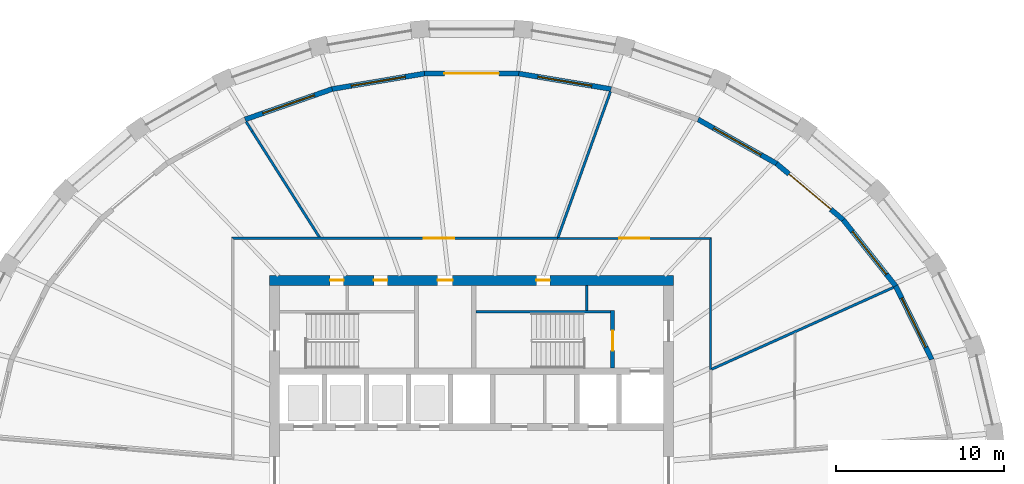
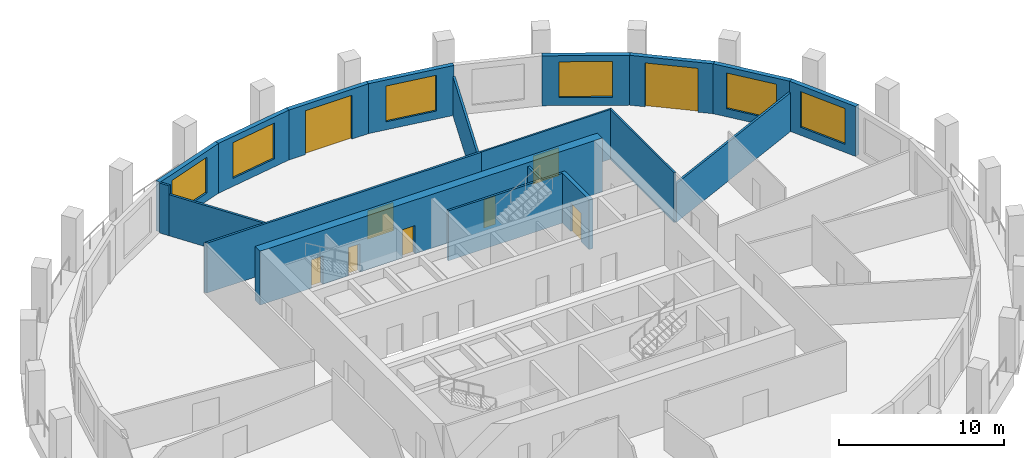
# One storey, part 6 of 10: 19 walls, 9 doors, 6 windows, 15 openings.
"""IFC4 building model written with IfcOpenShell, lengths in metres."""

from ifc_helpers import new_model, si_unit, direction, frame, frame_2d, origin, place, context, subcontext, project, spatial, polyline, rectangle, outline, extrude, material, layer, layer_set, type_object, element, fill, save


model = new_model("IFC4")

# Units and contexts
model_context = context("Model", 3, precision=1e-05, world=origin(), true_north=direction((0.0, 1.0)))
body_context = subcontext(model_context, "Body", "Model", "MODEL_VIEW")
ifc_project = project(units=[si_unit("LENGTHUNIT", "METRE"), si_unit("AREAUNIT", "SQUARE_METRE"), si_unit("VOLUMEUNIT", "CUBIC_METRE"), si_unit("PLANEANGLEUNIT", "RADIAN"), si_unit("MASSUNIT", "GRAM", prefix="KILO")], contexts=[model_context])

# Site, building, storey
site_placement = place(None, origin())
site = spatial("IfcSite", under=ifc_project, at=site_placement, CompositionType="ELEMENT")
building_placement = place(site_placement, origin())
building = spatial("IfcBuilding", under=site, at=building_placement, Name="Halqa Exchange Tower", CompositionType="ELEMENT")
storey_placement = place(building_placement, frame((0.0, 0.0, 238.89990234375)))
storey = spatial("IfcBuildingStorey", under=building, at=storey_placement, Name="L55", CompositionType="ELEMENT", Elevation=238.89990234375)

# Wall, opening, door
ifc_material_1 = material(Name="Fire-rated gypsum board")
ifc_layer_1 = layer(ifc_material_1, 0.14990234375)
ifc_layer_set_1 = layer_set([ifc_layer_1], Name="Fire-rated gypsum board")
wall_type_1 = type_object("IfcWallType", Name="Fire partition EI 60 150", PredefinedType="PARTITIONING", material=ifc_layer_set_1)
wall_1_placement = place(storey_placement, frame((-14.27490234375, 14.199951171875, 0.0), z_axis=(0.0, 0.0, 1.0), x_axis=(1.0, 0.0, 0.0)))
wall_1 = element("IfcWall", 1, at=wall_1_placement, inside=storey, type_object=wall_type_1, Name="L55-PWL-005", PredefinedType="PARTITIONING", context=body_context, shape_type="SweptSolid", body=[
    extrude(outline(polyline([(19.385009765625, 0.074951171875), (17.446533203125, 0.074951171875), (15.508056640625, 0.074951171875), (13.569580078125, 0.074951171875), (11.631103515625, 0.074951171875), (9.6923828125, 0.074951171875), (7.75390625, 0.074951171875), (5.8154296875, 0.074951171875), (3.876953125, 0.074951171875), (1.9384765625, 0.074951171875), (0.0, 0.074951171875), (0.14990234375, -0.074951171875), (2.073486328125, -0.074951171875), (3.996826171875, -0.074951171875), (5.92041015625, -0.074951171875), (7.843994140625, -0.074951171875), (9.767578125, -0.074951171875), (11.69091796875, -0.074951171875), (13.614501953125, -0.074951171875), (15.5380859375, -0.074951171875), (17.46142578125, -0.074951171875), (19.385009765625, -0.074951171875), (19.385009765625, 0.074951171875)])), origin(), (0.0, 0.0, 1.0), 3.7001953125),
])
opening_1_placement = place(wall_1_placement, frame((11.429931640625, 0.0, 0.0)))
opening_1 = element("IfcOpeningElement", 2, at=opening_1_placement, cuts=wall_1, Name="Opening 17-06", PredefinedType="OPENING", context=body_context, shape_type="SweptSolid", body=[
    extrude(rectangle(XDim=1.800048828125, YDim=2.10009765625, at=frame_2d((0.89990234375, 1.050048828125))), frame((0.0, 0.0869140625, 0.0), z_axis=(0.0, -1.0, 0.0), x_axis=(1.0, 0.0, 0.0)), (0.0, 0.0, 1.0), 0.173828125),
])
ifc_material_2 = material(Name="Steel fire door leaf", Category="steel")
door_type_1 = type_object("IfcDoorType", Name="Fire door FD30S double 1800 x 2100", OperationType="DOUBLE_DOOR_SINGLE_SWING", PredefinedType="DOOR", material=ifc_material_2)
door_1_placement = place(opening_1_placement, origin())
door_1 = element("IfcDoor", 3, at=door_1_placement, inside=storey, type_object=door_type_1, Name="L55-IDR-006", OperationType="DOUBLE_DOOR_SINGLE_SWING", OverallHeight=2.10009765625, OverallWidth=1.800048828125, PredefinedType="DOOR", context=body_context, shape_type="SweptSolid", body=[
    extrude(rectangle(XDim=1.800048828125, YDim=2.10009765625, at=frame_2d((0.89990234375, 1.050048828125))), frame((0.0, 0.02490234375, 0.0), z_axis=(0.0, -1.0, 0.0), x_axis=(1.0, 0.0, 0.0)), (0.0, 0.0, 1.0), 0.050048828125),
])
fill(opening_1, door_1)

# Walls
wall_2_placement = place(storey_placement, frame((-9.022216796875, 14.235107421875, 0.0), z_axis=(0.0, 0.0, 1.0), x_axis=(-0.536113951256, 0.844145622075, 0.0)))
element("IfcWall", 4, at=wall_2_placement, inside=storey, type_object=wall_type_1, Name="L55-PWL-006", PredefinedType="PARTITIONING", context=body_context, shape_type="SweptSolid", body=[
    extrude(outline(polyline([(7.49072265625, 0.074951171875), (5.641845703125, 0.074951171875), (3.792724609375, 0.074951171875), (1.94384765625, 0.074951171875), (0.094970703125, 0.074951171875), (0.0, -0.074462890625), (0.0, -0.074951171875), (1.87255859375, -0.074951171875), (3.745361328125, -0.074951171875), (5.6181640625, -0.074951171875), (7.49072265625, -0.074951171875), (7.49072265625, 0.074951171875)])), origin(), (0.0, 0.0, 1.0), 3.050048828125),
])
wall_3_placement = place(storey_placement, frame((5.1279296875, 14.25, 0.0), z_axis=(0.0, 0.0, 1.0), x_axis=(0.33871853012, 0.940887749603, 0.0)))
element("IfcWall", 5, at=wall_3_placement, inside=storey, type_object=wall_type_1, Name="L55-PWL-010", PredefinedType="PARTITIONING", context=body_context, shape_type="SweptSolid", body=[
    extrude(outline(polyline([(9.215087890625, -0.074951171875), (9.215087890625, -0.060546875), (9.214599609375, 0.001953125), (9.201171875, 0.074951171875), (7.361083984375, 0.074951171875), (5.520751953125, 0.074951171875), (3.680419921875, 0.074951171875), (1.84033203125, 0.074951171875), (0.0, 0.074951171875), (0.0, 0.07373046875), (0.017333984375, 0.025390625), (0.00341796875, 0.020263671875), (0.03759765625, -0.074951171875), (1.873046875, -0.074951171875), (3.70849609375, -0.074951171875), (5.544189453125, -0.074951171875), (7.379638671875, -0.074951171875), (9.215087890625, -0.074951171875)])), origin(), (0.0, 0.0, 1.0), 2.897216796875),
])
wall_4_placement = place(storey_placement, frame((14.24462890625, 6.420166015625, 0.0), z_axis=(0.0, 0.0, 1.0), x_axis=(0.911924971597, 0.410356974082, 0.0)))
element("IfcWall", 6, at=wall_4_placement, inside=storey, type_object=wall_type_1, Name="L55-PWL-018", PredefinedType="PARTITIONING", context=body_context, shape_type="SweptSolid", body=[
    extrude(outline(polyline([(0.0, -0.074951171875), (1.78173828125, -0.074951171875), (3.563720703125, -0.074951171875), (5.345458984375, -0.074951171875), (5.34619140625, -0.072998046875), (5.3505859375, -0.074951171875), (6.97802734375, -0.074951171875), (8.60546875, -0.074951171875), (10.23291015625, -0.074951171875), (11.8603515625, -0.074951171875), (11.8603515625, -0.074462890625), (11.857666015625, 0.005126953125), (11.840087890625, 0.074951171875), (9.875, 0.074951171875), (7.91015625, 0.074951171875), (5.9453125, 0.074951171875), (3.98046875, 0.074951171875), (2.015380859375, 0.074951171875), (0.050537109375, 0.074951171875), (0.005859375, -0.024658203125), (0.01953125, -0.03076171875), (0.0, -0.073974609375), (0.0, -0.074951171875)])), origin(), (0.0, 0.0, 1.0), 2.880126953125),
])
wall_5_placement = place(storey_placement, frame((-13.0380859375, 20.558349609375, 0.0), z_axis=(0.0, 0.0, 1.0), x_axis=(-0.536263285698, 0.844050761751, 0.0)))
element("IfcWall", 7, at=wall_5_placement, inside=storey, type_object=wall_type_1, Name="L55-PWL-022", PredefinedType="PARTITIONING", context=body_context, shape_type="SweptSolid", body=[
    extrude(outline(polyline([(0.0, -0.074951171875), (0.650634765625, -0.074951171875), (0.667236328125, -0.00390625), (0.671142578125, 0.069091796875), (0.671142578125, 0.074951171875), (0.0, 0.074951171875), (0.0, -0.074951171875)])), origin(), (0.0, 0.0, 1.0), 3.7001953125),
])

# Wall, opening, door
ifc_material_3 = material(Name="Fire-rated glazing", Category="glass")
ifc_layer_2 = layer(ifc_material_3, 0.1201171875)
ifc_layer_set_2 = layer_set([ifc_layer_2], Name="Fire-rated glazing")
wall_type_2 = type_object("IfcWallType", Name="Glazed fire partition EI 60 120", PredefinedType="PARTITIONING", material=ifc_layer_set_2)
wall_6_placement = place(storey_placement, frame((5.110107421875, 14.199951171875, 0.0), z_axis=(0.0, 0.0, 1.0), x_axis=(1.0, 0.0, 0.0)))
wall_6 = element("IfcWall", 8, at=wall_6_placement, inside=storey, type_object=wall_type_2, Name="L55-PWL-011", PredefinedType="PARTITIONING", context=body_context, shape_type="SweptSolid", body=[
    extrude(outline(polyline([(0.0, -0.06005859375), (1.805908203125, -0.06005859375), (3.61181640625, -0.06005859375), (5.41796875, -0.06005859375), (7.223876953125, -0.06005859375), (9.02978515625, -0.06005859375), (9.14990234375, 0.06005859375), (7.31982421875, 0.06005859375), (5.489990234375, 0.06005859375), (3.659912109375, 0.06005859375), (1.830078125, 0.06005859375), (0.0, 0.06005859375), (0.0, -0.06005859375)])), origin(), (0.0, 0.0, 1.0), 3.7001953125),
])
opening_2_placement = place(wall_6_placement, frame((3.64501953125, 0.0, 0.0)))
opening_2 = element("IfcOpeningElement", 9, at=opening_2_placement, cuts=wall_6, Name="Opening 17-05", PredefinedType="OPENING", context=body_context, shape_type="SweptSolid", body=[
    extrude(rectangle(XDim=1.800048828125, YDim=2.10009765625, at=frame_2d((0.89990234375, 1.050048828125))), frame((0.0, 0.072021484375, 0.0), z_axis=(0.0, -1.0, 0.0), x_axis=(1.0, 0.0, 0.0)), (0.0, 0.0, 1.0), 0.14404296875),
])
door_2_placement = place(opening_2_placement, origin())
door_2 = element("IfcDoor", 10, at=door_2_placement, inside=storey, type_object=door_type_1, Name="L55-IDR-005", OperationType="DOUBLE_DOOR_SINGLE_SWING", OverallHeight=2.10009765625, OverallWidth=1.800048828125, PredefinedType="DOOR", context=body_context, shape_type="SweptSolid", body=[
    extrude(rectangle(XDim=1.800048828125, YDim=2.10009765625, at=frame_2d((0.89990234375, 1.050048828125))), frame((0.0, 0.02490234375, 0.0), z_axis=(0.0, -1.0, 0.0), x_axis=(1.0, 0.0, 0.0)), (0.0, 0.0, 1.0), 0.050048828125),
])
fill(opening_2, door_2)

# Walls
wall_7_placement = place(storey_placement, frame((14.199951171875, 14.260009765625, 0.0), z_axis=(0.0, 0.0, 1.0), x_axis=(0.0, -1.0, 0.0)))
element("IfcWall", 11, at=wall_7_placement, inside=storey, type_object=wall_type_2, Name="L55-PWL-019", PredefinedType="PARTITIONING", context=body_context, shape_type="SweptSolid", body=[
    extrude(outline(polyline([(7.860107421875, 0.06005859375), (5.89501953125, 0.06005859375), (3.93017578125, 0.06005859375), (1.965087890625, 0.06005859375), (0.0, 0.06005859375), (0.1201171875, -0.06005859375), (2.05517578125, -0.06005859375), (3.990234375, -0.06005859375), (5.925048828125, -0.06005859375), (7.860107421875, -0.06005859375), (7.860107421875, 0.06005859375)])), origin(), (0.0, 0.0, 1.0), 3.7001953125),
])
ifc_material_4 = material(Name="Gypsum board")
ifc_layer_3 = layer(ifc_material_4, 0.14990234375)
ifc_layer_set_3 = layer_set([ifc_layer_3], Name="Gypsum board")
wall_type_3 = type_object("IfcWallType", Name="Penthouse riser wall 150 gypsum", PredefinedType="PARTITIONING", material=ifc_layer_set_3)
wall_8_placement = place(storey_placement, frame((6.824951171875, 9.89990234375, 0.0), z_axis=(0.0, 0.0, 1.0), x_axis=(0.0, 1.0, 0.0)))
element("IfcWall", 12, at=wall_8_placement, inside=storey, type_object=wall_type_3, Name="Firefighting lobby west wall N", PredefinedType="PARTITIONING", context=body_context, shape_type="SweptSolid", body=[
    extrude(rectangle(XDim=1.5, YDim=0.14990234375, at=frame_2d((0.75, 0.0))), origin(), (0.0, 0.0, 1.0), 3.7001953125),
])

# Wall, openings, doors
ifc_material_5 = material(Name="Concrete C70/85", Category="concrete")
ifc_layer_4 = layer(ifc_material_5, 0.60009765625)
ifc_layer_set_4 = layer_set([ifc_layer_4], Name="Concrete C70/85")
wall_type_4 = type_object("IfcWallType", Name="RC core wall 600 C70/85", PredefinedType="SHEAR", material=ifc_layer_set_4)
wall_9_placement = place(storey_placement, frame((-12.0, 11.699951171875, 0.0), z_axis=(0.0, 0.0, 1.0), x_axis=(1.0, 0.0, 0.0)))
wall_9 = element("IfcWall", 13, at=wall_9_placement, inside=storey, type_object=wall_type_4, Name="Core wall north", PredefinedType="SHEAR", context=body_context, shape_type="SweptSolid", body=[
    extrude(rectangle(XDim=24.0, YDim=0.60009765625, at=frame_2d((12.0, 0.0))), origin(), (0.0, 0.0, 1.0), 4.0),
])
opening_3_placement = place(wall_9_placement, frame((9.97509765625, 0.0, 0.0)))
opening_3 = element("IfcOpeningElement", 14, at=opening_3_placement, cuts=wall_9, Name="Opening T17-C21", PredefinedType="OPENING", context=body_context, shape_type="SweptSolid", body=[
    extrude(rectangle(XDim=0.89990234375, YDim=2.10009765625, at=frame_2d((0.449951171875, 1.050048828125))), frame((0.0, 0.31201171875, 0.0), z_axis=(0.0, -1.0, 0.0), x_axis=(1.0, 0.0, 0.0)), (0.0, 0.0, 1.0), 0.6240234375),
])
opening_4_placement = place(wall_9_placement, frame((3.60009765625, 0.0, 0.0)))
opening_4 = element("IfcOpeningElement", 15, at=opening_4_placement, cuts=wall_9, Name="Opening T17-C22", PredefinedType="OPENING", context=body_context, shape_type="SweptSolid", body=[
    extrude(rectangle(XDim=0.800048828125, YDim=2.10009765625, at=frame_2d((0.39990234375, 1.050048828125))), frame((0.0, 0.31201171875, 0.0), z_axis=(0.0, -1.0, 0.0), x_axis=(1.0, 0.0, 0.0)), (0.0, 0.0, 1.0), 0.6240234375),
])
opening_5_placement = place(wall_9_placement, frame((6.199951171875, 0.0, 0.0)))
opening_5 = element("IfcOpeningElement", 16, at=opening_5_placement, cuts=wall_9, Name="Opening T17-C23", PredefinedType="OPENING", context=body_context, shape_type="SweptSolid", body=[
    extrude(rectangle(XDim=0.800048828125, YDim=2.10009765625, at=frame_2d((0.39990234375, 1.050048828125))), frame((0.0, 0.31201171875, 0.0), z_axis=(0.0, -1.0, 0.0), x_axis=(1.0, 0.0, 0.0)), (0.0, 0.0, 1.0), 0.6240234375),
])
opening_6_placement = place(wall_9_placement, frame((15.85009765625, 0.0, 0.0)))
opening_6 = element("IfcOpeningElement", 17, at=opening_6_placement, cuts=wall_9, Name="Opening T17-C24", PredefinedType="OPENING", context=body_context, shape_type="SweptSolid", body=[
    extrude(rectangle(XDim=0.800048828125, YDim=2.10009765625, at=frame_2d((0.39990234375, 1.050048828125))), frame((0.0, 0.31201171875, 0.0), z_axis=(0.0, -1.0, 0.0), x_axis=(1.0, 0.0, 0.0)), (0.0, 0.0, 1.0), 0.6240234375),
])
ifc_material_6 = material(Name="Timber fire door leaf", Category="wood")
door_type_2 = type_object("IfcDoorType", Name="Core room door FD30 900 x 2100", OperationType="SINGLE_SWING_LEFT", PredefinedType="DOOR", material=ifc_material_6)
door_3_placement = place(opening_3_placement, frame((0.89990234375, 0.0, 0.0), z_axis=(0.0, 0.0, 1.0), x_axis=(-1.0, 0.0, 0.0)))
door_3 = element("IfcDoor", 18, at=door_3_placement, inside=storey, type_object=door_type_2, Name="Core room door", OperationType="SINGLE_SWING_RIGHT", OverallHeight=2.10009765625, OverallWidth=0.89990234375, PredefinedType="DOOR", context=body_context, shape_type="SweptSolid", body=[
    extrude(rectangle(XDim=0.89990234375, YDim=2.10009765625, at=frame_2d((0.449951171875, 1.050048828125))), frame((0.0, 0.02490234375, 0.0), z_axis=(0.0, -1.0, 0.0), x_axis=(1.0, 0.0, 0.0)), (0.0, 0.0, 1.0), 0.050048828125),
])
fill(opening_3, door_3)
door_type_3 = type_object("IfcDoorType", Name="Riser door FD60 800 x 2100", OperationType="SINGLE_SWING_LEFT", PredefinedType="DOOR", material=ifc_material_2)
door_4_placement = place(opening_4_placement, frame((0.800048828125, 0.0, 0.0), z_axis=(0.0, 0.0, 1.0), x_axis=(-1.0, 0.0, 0.0)))
door_4 = element("IfcDoor", 19, at=door_4_placement, inside=storey, type_object=door_type_3, Name="Core room door", OperationType="SINGLE_SWING_RIGHT", OverallHeight=2.10009765625, OverallWidth=0.800048828125, PredefinedType="DOOR", context=body_context, shape_type="SweptSolid", body=[
    extrude(rectangle(XDim=0.800048828125, YDim=2.10009765625, at=frame_2d((0.39990234375, 1.050048828125))), frame((0.0, 0.02490234375, 0.0), z_axis=(0.0, -1.0, 0.0), x_axis=(1.0, 0.0, 0.0)), (0.0, 0.0, 1.0), 0.050048828125),
])
fill(opening_4, door_4)
door_5_placement = place(opening_5_placement, frame((0.800048828125, 0.0, 0.0), z_axis=(0.0, 0.0, 1.0), x_axis=(-1.0, 0.0, 0.0)))
door_5 = element("IfcDoor", 20, at=door_5_placement, inside=storey, type_object=door_type_3, Name="Core room door", OperationType="SINGLE_SWING_RIGHT", OverallHeight=2.10009765625, OverallWidth=0.800048828125, PredefinedType="DOOR", context=body_context, shape_type="SweptSolid", body=[
    extrude(rectangle(XDim=0.800048828125, YDim=2.10009765625, at=frame_2d((0.39990234375, 1.050048828125))), frame((0.0, 0.02490234375, 0.0), z_axis=(0.0, -1.0, 0.0), x_axis=(1.0, 0.0, 0.0)), (0.0, 0.0, 1.0), 0.050048828125),
])
fill(opening_5, door_5)
door_6_placement = place(opening_6_placement, frame((0.800048828125, 0.0, 0.0), z_axis=(0.0, 0.0, 1.0), x_axis=(-1.0, 0.0, 0.0)))
door_6 = element("IfcDoor", 21, at=door_6_placement, inside=storey, type_object=door_type_3, Name="Core room door", OperationType="SINGLE_SWING_RIGHT", OverallHeight=2.10009765625, OverallWidth=0.800048828125, PredefinedType="DOOR", context=body_context, shape_type="SweptSolid", body=[
    extrude(rectangle(XDim=0.800048828125, YDim=2.10009765625, at=frame_2d((0.39990234375, 1.050048828125))), frame((0.0, 0.02490234375, 0.0), z_axis=(0.0, -1.0, 0.0), x_axis=(1.0, 0.0, 0.0)), (0.0, 0.0, 1.0), 0.050048828125),
])
fill(opening_6, door_6)

# Wall
ifc_material_7 = material(Name="Concrete C30/37", Category="concrete")
ifc_layer_5 = layer(ifc_material_7, 0.14990234375)
ifc_layer_set_5 = layer_set([ifc_layer_5], Name="Concrete C30/37")
wall_type_5 = type_object("IfcWallType", Name="RC stair wall 150 C30/37", PredefinedType="SHEAR", material=ifc_layer_set_5)
wall_10_placement = place(storey_placement, frame((0.25, 9.824951171875, 0.0), z_axis=(0.0, 0.0, 1.0), x_axis=(1.0, 0.0, 0.0)))
element("IfcWall", 22, at=wall_10_placement, inside=storey, type_object=wall_type_5, Name="Stair ST2 north wall N", PredefinedType="SHEAR", context=body_context, shape_type="SweptSolid", body=[
    extrude(rectangle(XDim=8.0, YDim=0.14990234375, at=frame_2d((4.0, 0.0))), origin(), (0.0, 0.0, 1.0), 3.7001953125),
])

# Wall, opening, door
ifc_layer_6 = layer(ifc_material_7, 0.25)
ifc_layer_set_6 = layer_set([ifc_layer_6], Name="Concrete C30/37")
wall_type_6 = type_object("IfcWallType", Name="RC stair wall 250 C30/37", PredefinedType="SHEAR", material=ifc_layer_set_6)
wall_11_placement = place(storey_placement, frame((8.375, 6.5, 0.0), z_axis=(0.0, 0.0, 1.0), x_axis=(0.0, 1.0, 0.0)))
wall_11 = element("IfcWall", 23, at=wall_11_placement, inside=storey, type_object=wall_type_6, Name="Stair ST2 east wall N", PredefinedType="SHEAR", context=body_context, shape_type="SweptSolid", body=[
    extrude(rectangle(XDim=3.39990234375, YDim=0.25, at=frame_2d((1.699951171875, 0.0))), origin(), (0.0, 0.0, 1.0), 3.7001953125),
])
opening_7_placement = place(wall_11_placement, frame((1.02490234375, 0.0, 0.0)))
opening_7 = element("IfcOpeningElement", 24, at=opening_7_placement, cuts=wall_11, Name="Opening T17-C16", PredefinedType="OPENING", context=body_context, shape_type="SweptSolid", body=[
    extrude(rectangle(XDim=1.199951171875, YDim=2.10009765625, at=frame_2d((0.60009765625, 1.050048828125))), frame((0.0, 0.136962890625, 0.0), z_axis=(0.0, -1.0, 0.0), x_axis=(1.0, 0.0, 0.0)), (0.0, 0.0, 1.0), 0.27392578125),
])
door_type_4 = type_object("IfcDoorType", Name="Stair door FD90 1200 x 2100", OperationType="SINGLE_SWING_LEFT", PredefinedType="DOOR", material=ifc_material_2)
door_7_placement = place(opening_7_placement, origin())
door_7 = element("IfcDoor", 25, at=door_7_placement, inside=storey, type_object=door_type_4, Name="Stair door ST2", OperationType="SINGLE_SWING_LEFT", OverallHeight=2.10009765625, OverallWidth=1.199951171875, PredefinedType="DOOR", context=body_context, shape_type="SweptSolid", body=[
    extrude(rectangle(XDim=1.199951171875, YDim=2.10009765625, at=frame_2d((0.60009765625, 1.050048828125))), frame((0.0, 0.02490234375, 0.0), z_axis=(0.0, -1.0, 0.0), x_axis=(1.0, 0.0, 0.0)), (0.0, 0.0, 1.0), 0.050048828125),
])
fill(opening_7, door_7)

# Wall, opening, window
ifc_material_8 = material(Name="Limestone cladding", Category="masonry")
ifc_layer_7 = layer(ifc_material_8, 0.0400390625)
ifc_material_9 = material(Name="Ventilated cavity")
ifc_layer_8 = layer(ifc_material_9, 0.030029296875, ventilated=True)
ifc_material_10 = material(Name="Mineral wool insulation")
ifc_layer_9 = layer(ifc_material_10, 0.10009765625)
ifc_layer_10 = layer(ifc_material_7, 0.10009765625)
ifc_material_11 = material(Name="Internal plaster")
ifc_layer_11 = layer(ifc_material_11, 0.030029296875)
ifc_layer_set_7 = layer_set([ifc_layer_7, ifc_layer_8, ifc_layer_9, ifc_layer_10, ifc_layer_11], Name="Stone-faced insulated wall 300")
wall_type_7 = type_object("IfcWallType", Name="Stone-faced insulated wall 300", PredefinedType="STANDARD", material=ifc_layer_set_7)
wall_12_placement = place(storey_placement, frame((27.329345703125, 7.00390625, 0.0), z_axis=(0.0, 0.0, 1.0), x_axis=(-0.441001730708, 0.897506252632, 0.0)))
wall_12 = element("IfcWall", 26, at=wall_12_placement, inside=storey, type_object=wall_type_7, Name="Glass-line wall 2", PredefinedType="STANDARD", context=body_context, shape_type="SweptSolid", body=[
    extrude(outline(polyline([(-0.016845703125, -0.14990234375), (4.88232421875, -0.14990234375), (4.85009765625, 0.14990234375), (0.016845703125, 0.14990234375), (-0.016845703125, -0.14990234375)])), origin(), (0.0, 0.0, 1.0), 3.7001953125),
])
opening_8_placement = place(wall_12_placement, frame((0.80810546875, 0.0, 0.60009765625)))
opening_8 = element("IfcOpeningElement", 27, at=opening_8_placement, cuts=wall_12, Name="Opening W-F3-02", PredefinedType="OPENING", context=body_context, shape_type="SweptSolid", body=[
    extrude(rectangle(XDim=3.25, YDim=2.64990234375, at=frame_2d((1.625, 1.324951171875))), frame((0.0, 0.162109375, 0.0), z_axis=(0.0, -1.0, 0.0), x_axis=(1.0, 0.0, 0.0)), (0.0, 0.0, 1.0), 0.323974609375),
])
ifc_material_12 = material(Name="Clear low-emissivity glass in aluminium frame", Category="aluminium")
window_type = type_object("IfcWindowType", Name="Fixed clear glazed window 3250 x 2650", PartitioningType="TRIPLE_PANEL_VERTICAL", PredefinedType="WINDOW", material=ifc_material_12)
window_1_placement = place(opening_8_placement, origin())
window_1 = element("IfcWindow", 28, at=window_1_placement, inside=storey, type_object=window_type, Name="Window 3", OverallHeight=2.64990234375, OverallWidth=3.25, PartitioningType="TRIPLE_PANEL_VERTICAL", PredefinedType="WINDOW", context=body_context, shape_type="SweptSolid", body=[
    extrude(rectangle(XDim=3.25, YDim=2.64990234375, at=frame_2d((1.625, 1.324951171875))), frame((0.0, 0.030029296875, 0.0), z_axis=(0.0, -1.0, 0.0), x_axis=(1.0, 0.0, 0.0)), (0.0, 0.0, 1.0), 0.06005859375),
])
fill(opening_8, window_1)

wall_13_placement = place(storey_placement, frame((25.183349609375, 11.371337890625, 0.0), z_axis=(0.0, 0.0, 1.0), x_axis=(-0.621130746167, 0.783706958094, 0.0)))
wall_13 = element("IfcWall", 29, at=wall_13_placement, inside=storey, type_object=wall_type_7, Name="Glass-line wall 3", PredefinedType="STANDARD", context=body_context, shape_type="SweptSolid", body=[
    extrude(outline(polyline([(-0.01611328125, -0.14990234375), (5.02783203125, -0.14990234375), (4.99755859375, 0.14990234375), (0.01611328125, 0.14990234375), (-0.01611328125, -0.14990234375)])), origin(), (0.0, 0.0, 1.0), 3.7001953125),
])
opening_9_placement = place(wall_13_placement, frame((0.88134765625, 0.0, 0.60009765625)))
opening_9 = element("IfcOpeningElement", 30, at=opening_9_placement, cuts=wall_13, Name="Opening W-F3-03", PredefinedType="OPENING", context=body_context, shape_type="SweptSolid", body=[
    extrude(rectangle(XDim=3.25, YDim=2.64990234375, at=frame_2d((1.625, 1.324951171875))), frame((0.0, 0.162109375, 0.0), z_axis=(0.0, -1.0, 0.0), x_axis=(1.0, 0.0, 0.0)), (0.0, 0.0, 1.0), 0.323974609375),
])
window_2_placement = place(opening_9_placement, origin())
window_2 = element("IfcWindow", 31, at=window_2_placement, inside=storey, type_object=window_type, Name="Window 3", OverallHeight=2.64990234375, OverallWidth=3.25, PartitioningType="TRIPLE_PANEL_VERTICAL", PredefinedType="WINDOW", context=body_context, shape_type="SweptSolid", body=[
    extrude(rectangle(XDim=3.25, YDim=2.64990234375, at=frame_2d((1.625, 1.324951171875))), frame((0.0, 0.030029296875, 0.0), z_axis=(0.0, -1.0, 0.0), x_axis=(1.0, 0.0, 0.0)), (0.0, 0.0, 1.0), 0.06005859375),
])
fill(opening_9, window_2)

# Wall, opening, door
wall_14_placement = place(storey_placement, frame((22.06982421875, 15.2998046875, 0.0), z_axis=(0.0, 0.0, 1.0), x_axis=(-0.764530975429, 0.644586989948, 0.0)))
wall_14 = element("IfcWall", 32, at=wall_14_placement, inside=storey, type_object=wall_type_7, Name="Glass-line wall 4", PredefinedType="STANDARD", context=body_context, shape_type="SweptSolid", body=[
    extrude(outline(polyline([(-0.01513671875, -0.14990234375), (5.1943359375, -0.14990234375), (5.166015625, 0.14990234375), (0.01513671875, 0.14990234375), (-0.01513671875, -0.14990234375)])), origin(), (0.0, 0.0, 1.0), 3.7001953125),
])
opening_10_placement = place(wall_14_placement, frame((0.965087890625, 0.0, 0.0)))
opening_10 = element("IfcOpeningElement", 33, at=opening_10_placement, cuts=wall_14, Name="Opening LG-F3-01", PredefinedType="OPENING", context=body_context, shape_type="SweptSolid", body=[
    extrude(rectangle(XDim=3.25, YDim=3.25, at=frame_2d((1.625, 1.625))), frame((0.0, 0.162109375, 0.0), z_axis=(0.0, -1.0, 0.0), x_axis=(1.0, 0.0, 0.0)), (0.0, 0.0, 1.0), 0.323974609375),
])
door_type_5 = type_object("IfcDoorType", Name="Glazed sliding loggia door 3250 x 3250", OperationType="DOUBLE_DOOR_SLIDING", PredefinedType="DOOR", material=ifc_material_12)
door_8_placement = place(opening_10_placement, origin())
door_8 = element("IfcDoor", 34, at=door_8_placement, inside=storey, type_object=door_type_5, Name="Loggia door 1", OperationType="DOUBLE_DOOR_SLIDING", OverallHeight=3.25, OverallWidth=3.25, PredefinedType="DOOR", context=body_context, shape_type="SweptSolid", body=[
    extrude(rectangle(XDim=3.25, YDim=3.25, at=frame_2d((1.625, 1.625))), frame((0.0, 0.02490234375, 0.0), z_axis=(0.0, -1.0, 0.0), x_axis=(1.0, 0.0, 0.0)), (0.0, 0.0, 1.0), 0.050048828125),
])
fill(opening_10, door_8)

# Wall, opening, window
wall_15_placement = place(storey_placement, frame((18.109375, 18.638916015625, 0.0), z_axis=(0.0, 0.0, 1.0), x_axis=(-0.871275151053, 0.490794876865, 0.0)))
wall_15 = element("IfcWall", 35, at=wall_15_placement, inside=storey, type_object=wall_type_7, Name="Glass-line wall 5", PredefinedType="STANDARD", context=body_context, shape_type="SweptSolid", body=[
    extrude(outline(polyline([(-0.01416015625, -0.14990234375), (5.35595703125, -0.14990234375), (5.3291015625, 0.14990234375), (0.01416015625, 0.14990234375), (-0.01416015625, -0.14990234375)])), origin(), (0.0, 0.0, 1.0), 3.7001953125),
])
opening_11_placement = place(wall_15_placement, frame((1.046142578125, 0.0, 0.60009765625)))
opening_11 = element("IfcOpeningElement", 36, at=opening_11_placement, cuts=wall_15, Name="Opening W-F3-05", PredefinedType="OPENING", context=body_context, shape_type="SweptSolid", body=[
    extrude(rectangle(XDim=3.25, YDim=2.64990234375, at=frame_2d((1.625, 1.324951171875))), frame((0.0, 0.162109375, 0.0), z_axis=(0.0, -1.0, 0.0), x_axis=(1.0, 0.0, 0.0)), (0.0, 0.0, 1.0), 0.323974609375),
])
window_3_placement = place(opening_11_placement, origin())
window_3 = element("IfcWindow", 37, at=window_3_placement, inside=storey, type_object=window_type, Name="Window 3", OverallHeight=2.64990234375, OverallWidth=3.25, PartitioningType="TRIPLE_PANEL_VERTICAL", PredefinedType="WINDOW", context=body_context, shape_type="SweptSolid", body=[
    extrude(rectangle(XDim=3.25, YDim=2.64990234375, at=frame_2d((1.625, 1.324951171875))), frame((0.0, 0.030029296875, 0.0), z_axis=(0.0, -1.0, 0.0), x_axis=(1.0, 0.0, 0.0)), (0.0, 0.0, 1.0), 0.06005859375),
])
fill(opening_11, window_3)

wall_16_placement = place(storey_placement, frame((8.284423828125, 23.06640625, 0.0), z_axis=(0.0, 0.0, 1.0), x_axis=(-0.98622977737, 0.16538085206, 0.0)))
wall_16 = element("IfcWall", 38, at=wall_16_placement, inside=storey, type_object=wall_type_7, Name="Glass-line wall 7", PredefinedType="STANDARD", context=body_context, shape_type="SweptSolid", body=[
    extrude(outline(polyline([(-0.0126953125, -0.14990234375), (5.576416015625, -0.14990234375), (5.551513671875, 0.14990234375), (0.0126953125, 0.14990234375), (-0.0126953125, -0.14990234375)])), origin(), (0.0, 0.0, 1.0), 3.7001953125),
])
opening_12_placement = place(wall_16_placement, frame((1.156982421875, 0.0, 0.60009765625)))
opening_12 = element("IfcOpeningElement", 39, at=opening_12_placement, cuts=wall_16, Name="Opening W-F3-07", PredefinedType="OPENING", context=body_context, shape_type="SweptSolid", body=[
    extrude(rectangle(XDim=3.25, YDim=2.64990234375, at=frame_2d((1.625, 1.324951171875))), frame((0.0, 0.162109375, 0.0), z_axis=(0.0, -1.0, 0.0), x_axis=(1.0, 0.0, 0.0)), (0.0, 0.0, 1.0), 0.323974609375),
])
window_4_placement = place(opening_12_placement, origin())
window_4 = element("IfcWindow", 40, at=window_4_placement, inside=storey, type_object=window_type, Name="Window 3", OverallHeight=2.64990234375, OverallWidth=3.25, PartitioningType="TRIPLE_PANEL_VERTICAL", PredefinedType="WINDOW", context=body_context, shape_type="SweptSolid", body=[
    extrude(rectangle(XDim=3.25, YDim=2.64990234375, at=frame_2d((1.625, 1.324951171875))), frame((0.0, 0.030029296875, 0.0), z_axis=(0.0, -1.0, 0.0), x_axis=(1.0, 0.0, 0.0)), (0.0, 0.0, 1.0), 0.06005859375),
])
fill(opening_12, window_4)

# Wall, opening, door
wall_17_placement = place(storey_placement, frame((2.797119140625, 23.986572265625, 0.0), z_axis=(0.0, 0.0, 1.0), x_axis=(-1.0, 0.0, 0.0)))
wall_17 = element("IfcWall", 41, at=wall_17_placement, inside=storey, type_object=wall_type_7, Name="Glass-line wall 8", PredefinedType="STANDARD", context=body_context, shape_type="SweptSolid", body=[
    extrude(outline(polyline([(-0.012451171875, -0.14990234375), (5.606689453125, -0.14990234375), (5.581787109375, 0.14990234375), (0.012451171875, 0.14990234375), (-0.012451171875, -0.14990234375)])), origin(), (0.0, 0.0, 1.0), 3.7001953125),
])
opening_13_placement = place(wall_17_placement, frame((1.172119140625, 0.0, 0.0)))
opening_13 = element("IfcOpeningElement", 42, at=opening_13_placement, cuts=wall_17, Name="Opening LG-F3-02", PredefinedType="OPENING", context=body_context, shape_type="SweptSolid", body=[
    extrude(rectangle(XDim=3.25, YDim=3.25, at=frame_2d((1.625, 1.625))), frame((0.0, 0.162109375, 0.0), z_axis=(0.0, -1.0, 0.0), x_axis=(1.0, 0.0, 0.0)), (0.0, 0.0, 1.0), 0.323974609375),
])
door_9_placement = place(opening_13_placement, origin())
door_9 = element("IfcDoor", 43, at=door_9_placement, inside=storey, type_object=door_type_5, Name="Loggia door 2", OperationType="DOUBLE_DOOR_SLIDING", OverallHeight=3.25, OverallWidth=3.25, PredefinedType="DOOR", context=body_context, shape_type="SweptSolid", body=[
    extrude(rectangle(XDim=3.25, YDim=3.25, at=frame_2d((1.625, 1.625))), frame((0.0, 0.02490234375, 0.0), z_axis=(0.0, -1.0, 0.0), x_axis=(1.0, 0.0, 0.0)), (0.0, 0.0, 1.0), 0.050048828125),
])
fill(opening_13, door_9)

# Wall, opening, window
wall_18_placement = place(storey_placement, frame((-2.797119140625, 23.986572265625, 0.0), z_axis=(0.0, 0.0, 1.0), x_axis=(-0.98622977737, -0.16538085206, 0.0)))
wall_18 = element("IfcWall", 44, at=wall_18_placement, inside=storey, type_object=wall_type_7, Name="Glass-line wall 9", PredefinedType="STANDARD", context=body_context, shape_type="SweptSolid", body=[
    extrude(outline(polyline([(-0.012451171875, -0.14990234375), (5.57666015625, -0.14990234375), (5.55126953125, 0.14990234375), (0.012451171875, 0.14990234375), (-0.012451171875, -0.14990234375)])), origin(), (0.0, 0.0, 1.0), 3.7001953125),
])
opening_14_placement = place(wall_18_placement, frame((1.156982421875, 0.0, 0.60009765625)))
opening_14 = element("IfcOpeningElement", 45, at=opening_14_placement, cuts=wall_18, Name="Opening W-F3-09", PredefinedType="OPENING", context=body_context, shape_type="SweptSolid", body=[
    extrude(rectangle(XDim=3.25, YDim=2.64990234375, at=frame_2d((1.625, 1.324951171875))), frame((0.0, 0.162109375, 0.0), z_axis=(0.0, -1.0, 0.0), x_axis=(1.0, 0.0, 0.0)), (0.0, 0.0, 1.0), 0.323974609375),
])
window_5_placement = place(opening_14_placement, origin())
window_5 = element("IfcWindow", 46, at=window_5_placement, inside=storey, type_object=window_type, Name="Window 3", OverallHeight=2.64990234375, OverallWidth=3.25, PartitioningType="TRIPLE_PANEL_VERTICAL", PredefinedType="WINDOW", context=body_context, shape_type="SweptSolid", body=[
    extrude(rectangle(XDim=3.25, YDim=2.64990234375, at=frame_2d((1.625, 1.324951171875))), frame((0.0, 0.030029296875, 0.0), z_axis=(0.0, -1.0, 0.0), x_axis=(1.0, 0.0, 0.0)), (0.0, 0.0, 1.0), 0.06005859375),
])
fill(opening_14, window_5)

wall_19_placement = place(storey_placement, frame((-8.284423828125, 23.06640625, 0.0), z_axis=(0.0, 0.0, 1.0), x_axis=(-0.944093730832, -0.329677156326, 0.0)))
wall_19 = element("IfcWall", 47, at=wall_19_placement, inside=storey, type_object=wall_type_7, Name="Glass-line wall 10", PredefinedType="STANDARD", context=body_context, shape_type="SweptSolid", body=[
    extrude(outline(polyline([(-0.0126953125, -0.14990234375), (5.48974609375, -0.14990234375), (5.462890625, 0.14990234375), (0.0126953125, 0.14990234375), (-0.0126953125, -0.14990234375)])), origin(), (0.0, 0.0, 1.0), 3.7001953125),
])
opening_15_placement = place(wall_19_placement, frame((1.113037109375, 0.0, 0.60009765625)))
opening_15 = element("IfcOpeningElement", 48, at=opening_15_placement, cuts=wall_19, Name="Opening W-F3-10", PredefinedType="OPENING", context=body_context, shape_type="SweptSolid", body=[
    extrude(rectangle(XDim=3.25, YDim=2.64990234375, at=frame_2d((1.625, 1.324951171875))), frame((0.0, 0.162109375, 0.0), z_axis=(0.0, -1.0, 0.0), x_axis=(1.0, 0.0, 0.0)), (0.0, 0.0, 1.0), 0.323974609375),
])
window_6_placement = place(opening_15_placement, origin())
window_6 = element("IfcWindow", 49, at=window_6_placement, inside=storey, type_object=window_type, Name="Window 3", OverallHeight=2.64990234375, OverallWidth=3.25, PartitioningType="TRIPLE_PANEL_VERTICAL", PredefinedType="WINDOW", context=body_context, shape_type="SweptSolid", body=[
    extrude(rectangle(XDim=3.25, YDim=2.64990234375, at=frame_2d((1.625, 1.324951171875))), frame((0.0, 0.030029296875, 0.0), z_axis=(0.0, -1.0, 0.0), x_axis=(1.0, 0.0, 0.0)), (0.0, 0.0, 1.0), 0.06005859375),
])
fill(opening_15, window_6)

save(model, "model.ifc")
